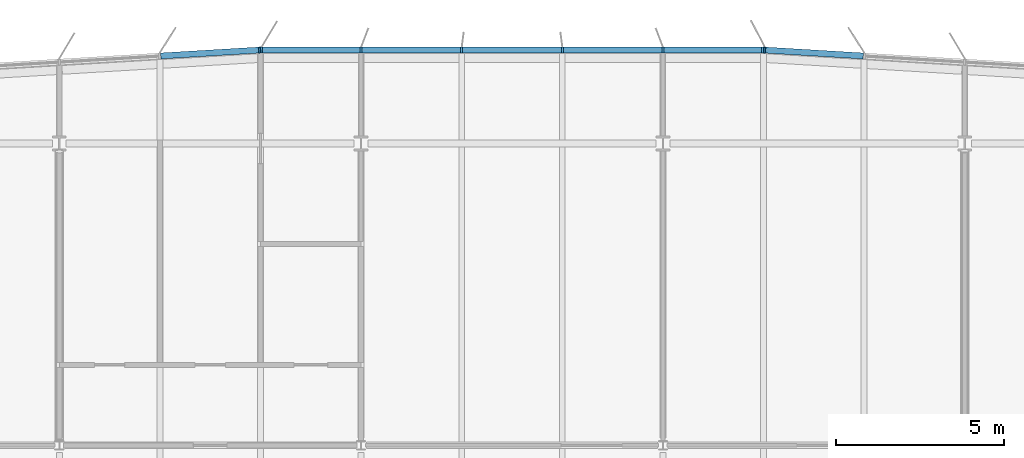
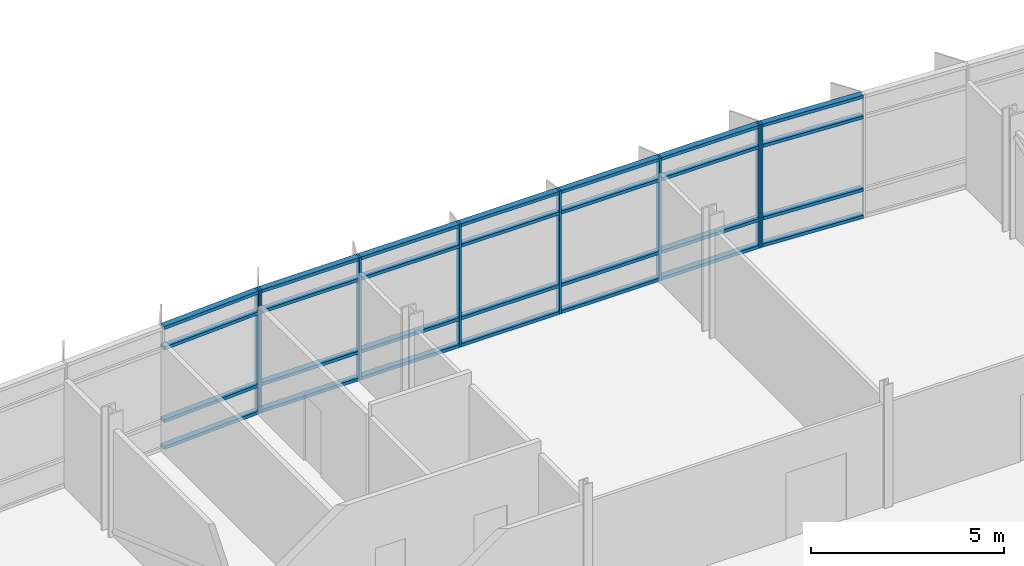
# One storey, part 9 of 19: 36 members, 3 elements without a shape of their own.
"""IFC4 building model written with IfcOpenShell, lengths in metres."""

from ifc_helpers import new_model, si_unit, direction, frame, origin, origin_2d, place, context, subcontext, project, spatial, rectangle, extrude, material, material_profile, profile_set, type_object, element, aggregate, save


model = new_model("IFC4")

# Units and contexts
model_context = context("Model", 3, precision=1e-05, world=origin(), true_north=direction((0.0, 1.0)))
body_context = subcontext(model_context, "Body", "Model", "MODEL_VIEW")
ifc_project = project(units=[si_unit("LENGTHUNIT", "METRE"), si_unit("AREAUNIT", "SQUARE_METRE"), si_unit("VOLUMEUNIT", "CUBIC_METRE"), si_unit("PLANEANGLEUNIT", "RADIAN"), si_unit("MASSUNIT", "GRAM", prefix="KILO")], contexts=[model_context])

# Site, building, storey
site_placement = place(None, origin())
site = spatial("IfcSite", under=ifc_project, at=site_placement, CompositionType="ELEMENT")
building_placement = place(site_placement, origin())
building = spatial("IfcBuilding", under=site, at=building_placement, Name="Azimuth Sports and Learning Centre", CompositionType="ELEMENT")
storey_placement = place(building_placement, frame((0.0, 0.0, 67.5)))
storey = spatial("IfcBuildingStorey", under=building, at=storey_placement, Name="L15", CompositionType="ELEMENT", Elevation=67.5)

# Curtain wall, member
ifc_material_1 = material(Name="Aluminium and glass", Category="aluminium")
curtain_wall_type = type_object("IfcCurtainWallType", Name="Curtain wall tower north 180", PredefinedType="NOTDEFINED", material=ifc_material_1)
curtain_wall_1_placement = place(storey_placement, origin())
curtain_wall_1 = element("IfcCurtainWall", 1, at=curtain_wall_1_placement, inside=storey, type_object=curtain_wall_type, Name="Curtain wall CW15-011", PredefinedType="NOTDEFINED")
ifc_material_2 = material(Name="Aluminium", Category="aluminium")
ifc_material_profile_1 = material_profile(ifc_material_2, rectangle(XDim=0.179931640625, YDim=0.06005859375, at=origin_2d()), Name="Mullion 60x180")
ifc_profile_set_1 = profile_set([ifc_material_profile_1], Name="Aluminium")
member_type_1 = type_object("IfcMemberType", Name="Mullion 60x180", PredefinedType="MULLION", material=ifc_profile_set_1)
member_1_placement = place(storey_placement, frame((93.035400390625, 119.7880859375, 0.0), z_axis=(0.0, 0.0, 1.0), x_axis=(-0.059891991812, -0.998204863401, 0.0)))
member_1 = element("IfcMember", 2, at=member_1_placement, type_object=member_type_1, Name="CW15-011 mullion 6", PredefinedType="MULLION", context=body_context, shape_type="SweptSolid", body=[
    extrude(rectangle(XDim=0.179931640625, YDim=0.06005859375, at=origin_2d()), origin(), (0.0, 0.0, 1.0), 3.89990234375),
])

# Curtain wall, members
curtain_wall_2_placement = place(storey_placement, origin())
curtain_wall_2 = element("IfcCurtainWall", 3, at=curtain_wall_2_placement, inside=storey, type_object=curtain_wall_type, Name="Curtain wall CW15-012", PredefinedType="NOTDEFINED")
member_2_placement = place(storey_placement, frame((92.975341796875, 119.7900390625, 0.0), z_axis=(0.0, 0.0, 1.0), x_axis=(0.0, -1.0, 0.0)))
member_2 = element("IfcMember", 4, at=member_2_placement, type_object=member_type_1, Name="CW15-012 mullion 1", PredefinedType="MULLION", context=body_context, shape_type="SweptSolid", body=[
    extrude(rectangle(XDim=0.179931640625, YDim=0.06005859375, at=origin_2d()), origin(), (0.0, 0.0, 1.0), 3.89990234375),
])
member_3_placement = place(storey_placement, frame((90.0, 119.7900390625, 0.0), z_axis=(0.0, 0.0, 1.0), x_axis=(0.0, -1.0, 0.0)))
member_3 = element("IfcMember", 5, at=member_3_placement, type_object=member_type_1, Name="CW15-012 mullion 2", PredefinedType="MULLION", context=body_context, shape_type="SweptSolid", body=[
    extrude(rectangle(XDim=0.179931640625, YDim=0.06005859375, at=origin_2d()), origin(), (0.0, 0.0, 1.0), 3.89990234375),
])
member_4_placement = place(storey_placement, frame((87.0, 119.7900390625, 0.0), z_axis=(0.0, 0.0, 1.0), x_axis=(0.0, -1.0, 0.0)))
member_4 = element("IfcMember", 6, at=member_4_placement, type_object=member_type_1, Name="CW15-012 mullion 3", PredefinedType="MULLION", context=body_context, shape_type="SweptSolid", body=[
    extrude(rectangle(XDim=0.179931640625, YDim=0.06005859375, at=origin_2d()), origin(), (0.0, 0.0, 1.0), 3.89990234375),
])
member_5_placement = place(storey_placement, frame((84.0, 119.7900390625, 0.0), z_axis=(0.0, 0.0, 1.0), x_axis=(0.0, -1.0, 0.0)))
member_5 = element("IfcMember", 7, at=member_5_placement, type_object=member_type_1, Name="CW15-012 mullion 4", PredefinedType="MULLION", context=body_context, shape_type="SweptSolid", body=[
    extrude(rectangle(XDim=0.179931640625, YDim=0.06005859375, at=origin_2d()), origin(), (0.0, 0.0, 1.0), 3.89990234375),
])
member_6_placement = place(storey_placement, frame((81.0, 119.7900390625, 0.0), z_axis=(0.0, 0.0, 1.0), x_axis=(0.0, -1.0, 0.0)))
member_6 = element("IfcMember", 8, at=member_6_placement, type_object=member_type_1, Name="CW15-012 mullion 5", PredefinedType="MULLION", context=body_context, shape_type="SweptSolid", body=[
    extrude(rectangle(XDim=0.179931640625, YDim=0.06005859375, at=origin_2d()), origin(), (0.0, 0.0, 1.0), 3.89990234375),
])
member_7_placement = place(storey_placement, frame((78.030029296875, 119.7900390625, 0.0), z_axis=(0.0, 0.0, 1.0), x_axis=(0.0, -1.0, 0.0)))
member_7 = element("IfcMember", 9, at=member_7_placement, type_object=member_type_1, Name="CW15-012 mullion 6", PredefinedType="MULLION", context=body_context, shape_type="SweptSolid", body=[
    extrude(rectangle(XDim=0.179931640625, YDim=0.06005859375, at=origin_2d()), origin(), (0.0, 0.0, 1.0), 3.89990234375),
])

# Curtain wall, member
curtain_wall_3_placement = place(storey_placement, origin())
curtain_wall_3 = element("IfcCurtainWall", 10, at=curtain_wall_3_placement, inside=storey, type_object=curtain_wall_type, Name="Curtain wall CW15-013", PredefinedType="NOTDEFINED")
member_8_placement = place(storey_placement, frame((77.969970703125, 119.788330078125, 0.0), z_axis=(0.0, 0.0, 1.0), x_axis=(0.059891991812, -0.998204863401, 0.0)))
member_8 = element("IfcMember", 11, at=member_8_placement, type_object=member_type_1, Name="CW15-013 mullion 1", PredefinedType="MULLION", context=body_context, shape_type="SweptSolid", body=[
    extrude(rectangle(XDim=0.179931640625, YDim=0.06005859375, at=origin_2d()), origin(), (0.0, 0.0, 1.0), 3.89990234375),
])

# Member
ifc_material_3 = material(Name="Aluminium", Category="aluminium")
ifc_material_profile_2 = material_profile(ifc_material_3, rectangle(XDim=0.179931640625, YDim=0.10009765625, at=origin_2d()), Name="Transom 100x180")
ifc_profile_set_2 = profile_set([ifc_material_profile_2], Name="Aluminium")
member_type_2 = type_object("IfcMemberType", Name="Transom 100x180", PredefinedType="USERDEFINED", material=ifc_profile_set_2)
member_9_placement = place(storey_placement, frame((95.975341796875, 119.611572265625, 0.050048828125), z_axis=(-0.998205846627, 0.059875602377, 0.0), x_axis=(-0.059875602377, -0.998205846627, 0.0)))
member_9 = element("IfcMember", 12, at=member_9_placement, type_object=member_type_2, Name="CW15-011 transom 5.1", ObjectType="TRANSOM", PredefinedType="USERDEFINED", context=body_context, shape_type="SweptSolid", body=[
    extrude(rectangle(XDim=0.179931640625, YDim=0.10009765625, at=origin_2d()), origin(), (0.0, 0.0, 1.0), 2.915283203125),
])

member_10_placement = place(storey_placement, frame((95.975341796875, 119.611572265625, 0.89990234375), z_axis=(-0.998205846627, 0.059875602377, 0.0), x_axis=(-0.059875602377, -0.998205846627, 0.0)))
member_10 = element("IfcMember", 13, at=member_10_placement, type_object=member_type_2, Name="CW15-011 transom 5.2", ObjectType="TRANSOM", PredefinedType="USERDEFINED", context=body_context, shape_type="SweptSolid", body=[
    extrude(rectangle(XDim=0.179931640625, YDim=0.10009765625, at=origin_2d()), origin(), (0.0, 0.0, 1.0), 2.915283203125),
])

member_11_placement = place(storey_placement, frame((95.975341796875, 119.611572265625, 3.199951171875), z_axis=(-0.998205846627, 0.059875602377, 0.0), x_axis=(-0.059875602377, -0.998205846627, 0.0)))
member_11 = element("IfcMember", 14, at=member_11_placement, type_object=member_type_2, Name="CW15-011 transom 5.3", ObjectType="TRANSOM", PredefinedType="USERDEFINED", context=body_context, shape_type="SweptSolid", body=[
    extrude(rectangle(XDim=0.179931640625, YDim=0.10009765625, at=origin_2d()), origin(), (0.0, 0.0, 1.0), 2.915283203125),
])

member_12_placement = place(storey_placement, frame((95.975341796875, 119.611572265625, 3.85009765625), z_axis=(-0.998205846627, 0.059875602377, 0.0), x_axis=(-0.059875602377, -0.998205846627, 0.0)))
member_12 = element("IfcMember", 15, at=member_12_placement, type_object=member_type_2, Name="CW15-011 transom 5.4", ObjectType="TRANSOM", PredefinedType="USERDEFINED", context=body_context, shape_type="SweptSolid", body=[
    extrude(rectangle(XDim=0.179931640625, YDim=0.10009765625, at=origin_2d()), origin(), (0.0, 0.0, 1.0), 2.915283203125),
])

aggregate(curtain_wall_1, [member_1, member_9, member_10, member_11, member_12])

member_13_placement = place(storey_placement, frame((92.9453125, 119.7900390625, 0.050048828125), z_axis=(-1.0, 0.0, 0.0), x_axis=(0.0, -1.0, 0.0)))
member_13 = element("IfcMember", 16, at=member_13_placement, type_object=member_type_2, Name="CW15-012 transom 1.1", ObjectType="TRANSOM", PredefinedType="USERDEFINED", context=body_context, shape_type="SweptSolid", body=[
    extrude(rectangle(XDim=0.179931640625, YDim=0.10009765625, at=origin_2d()), origin(), (0.0, 0.0, 1.0), 2.915283203125),
])

member_14_placement = place(storey_placement, frame((92.9453125, 119.7900390625, 0.89990234375), z_axis=(-1.0, 0.0, 0.0), x_axis=(0.0, -1.0, 0.0)))
member_14 = element("IfcMember", 17, at=member_14_placement, type_object=member_type_2, Name="CW15-012 transom 1.2", ObjectType="TRANSOM", PredefinedType="USERDEFINED", context=body_context, shape_type="SweptSolid", body=[
    extrude(rectangle(XDim=0.179931640625, YDim=0.10009765625, at=origin_2d()), origin(), (0.0, 0.0, 1.0), 2.915283203125),
])

member_15_placement = place(storey_placement, frame((92.9453125, 119.7900390625, 3.199951171875), z_axis=(-1.0, 0.0, 0.0), x_axis=(0.0, -1.0, 0.0)))
member_15 = element("IfcMember", 18, at=member_15_placement, type_object=member_type_2, Name="CW15-012 transom 1.3", ObjectType="TRANSOM", PredefinedType="USERDEFINED", context=body_context, shape_type="SweptSolid", body=[
    extrude(rectangle(XDim=0.179931640625, YDim=0.10009765625, at=origin_2d()), origin(), (0.0, 0.0, 1.0), 2.915283203125),
])

member_16_placement = place(storey_placement, frame((92.9453125, 119.7900390625, 3.85009765625), z_axis=(-1.0, 0.0, 0.0), x_axis=(0.0, -1.0, 0.0)))
member_16 = element("IfcMember", 19, at=member_16_placement, type_object=member_type_2, Name="CW15-012 transom 1.4", ObjectType="TRANSOM", PredefinedType="USERDEFINED", context=body_context, shape_type="SweptSolid", body=[
    extrude(rectangle(XDim=0.179931640625, YDim=0.10009765625, at=origin_2d()), origin(), (0.0, 0.0, 1.0), 2.915283203125),
])

member_17_placement = place(storey_placement, frame((89.969970703125, 119.7900390625, 0.050048828125), z_axis=(-1.0, 0.0, 0.0), x_axis=(0.0, -1.0, 0.0)))
member_17 = element("IfcMember", 20, at=member_17_placement, type_object=member_type_2, Name="CW15-012 transom 2.1", ObjectType="TRANSOM", PredefinedType="USERDEFINED", context=body_context, shape_type="SweptSolid", body=[
    extrude(rectangle(XDim=0.179931640625, YDim=0.10009765625, at=origin_2d()), origin(), (0.0, 0.0, 1.0), 2.93994140625),
])

member_18_placement = place(storey_placement, frame((89.969970703125, 119.7900390625, 0.89990234375), z_axis=(-1.0, 0.0, 0.0), x_axis=(0.0, -1.0, 0.0)))
member_18 = element("IfcMember", 21, at=member_18_placement, type_object=member_type_2, Name="CW15-012 transom 2.2", ObjectType="TRANSOM", PredefinedType="USERDEFINED", context=body_context, shape_type="SweptSolid", body=[
    extrude(rectangle(XDim=0.179931640625, YDim=0.10009765625, at=origin_2d()), origin(), (0.0, 0.0, 1.0), 2.93994140625),
])

member_19_placement = place(storey_placement, frame((89.969970703125, 119.7900390625, 3.199951171875), z_axis=(-1.0, 0.0, 0.0), x_axis=(0.0, -1.0, 0.0)))
member_19 = element("IfcMember", 22, at=member_19_placement, type_object=member_type_2, Name="CW15-012 transom 2.3", ObjectType="TRANSOM", PredefinedType="USERDEFINED", context=body_context, shape_type="SweptSolid", body=[
    extrude(rectangle(XDim=0.179931640625, YDim=0.10009765625, at=origin_2d()), origin(), (0.0, 0.0, 1.0), 2.93994140625),
])

member_20_placement = place(storey_placement, frame((89.969970703125, 119.7900390625, 3.85009765625), z_axis=(-1.0, 0.0, 0.0), x_axis=(0.0, -1.0, 0.0)))
member_20 = element("IfcMember", 23, at=member_20_placement, type_object=member_type_2, Name="CW15-012 transom 2.4", ObjectType="TRANSOM", PredefinedType="USERDEFINED", context=body_context, shape_type="SweptSolid", body=[
    extrude(rectangle(XDim=0.179931640625, YDim=0.10009765625, at=origin_2d()), origin(), (0.0, 0.0, 1.0), 2.93994140625),
])

member_21_placement = place(storey_placement, frame((86.969970703125, 119.7900390625, 0.050048828125), z_axis=(-1.0, 0.0, 0.0), x_axis=(0.0, -1.0, 0.0)))
member_21 = element("IfcMember", 24, at=member_21_placement, type_object=member_type_2, Name="CW15-012 transom 3.1", ObjectType="TRANSOM", PredefinedType="USERDEFINED", context=body_context, shape_type="SweptSolid", body=[
    extrude(rectangle(XDim=0.179931640625, YDim=0.10009765625, at=origin_2d()), origin(), (0.0, 0.0, 1.0), 2.93994140625),
])

member_22_placement = place(storey_placement, frame((86.969970703125, 119.7900390625, 0.89990234375), z_axis=(-1.0, 0.0, 0.0), x_axis=(0.0, -1.0, 0.0)))
member_22 = element("IfcMember", 25, at=member_22_placement, type_object=member_type_2, Name="CW15-012 transom 3.2", ObjectType="TRANSOM", PredefinedType="USERDEFINED", context=body_context, shape_type="SweptSolid", body=[
    extrude(rectangle(XDim=0.179931640625, YDim=0.10009765625, at=origin_2d()), origin(), (0.0, 0.0, 1.0), 2.93994140625),
])

member_23_placement = place(storey_placement, frame((86.969970703125, 119.7900390625, 3.199951171875), z_axis=(-1.0, 0.0, 0.0), x_axis=(0.0, -1.0, 0.0)))
member_23 = element("IfcMember", 26, at=member_23_placement, type_object=member_type_2, Name="CW15-012 transom 3.3", ObjectType="TRANSOM", PredefinedType="USERDEFINED", context=body_context, shape_type="SweptSolid", body=[
    extrude(rectangle(XDim=0.179931640625, YDim=0.10009765625, at=origin_2d()), origin(), (0.0, 0.0, 1.0), 2.93994140625),
])

member_24_placement = place(storey_placement, frame((86.969970703125, 119.7900390625, 3.85009765625), z_axis=(-1.0, 0.0, 0.0), x_axis=(0.0, -1.0, 0.0)))
member_24 = element("IfcMember", 27, at=member_24_placement, type_object=member_type_2, Name="CW15-012 transom 3.4", ObjectType="TRANSOM", PredefinedType="USERDEFINED", context=body_context, shape_type="SweptSolid", body=[
    extrude(rectangle(XDim=0.179931640625, YDim=0.10009765625, at=origin_2d()), origin(), (0.0, 0.0, 1.0), 2.93994140625),
])

member_25_placement = place(storey_placement, frame((83.969970703125, 119.7900390625, 0.050048828125), z_axis=(-1.0, 0.0, 0.0), x_axis=(0.0, -1.0, 0.0)))
member_25 = element("IfcMember", 28, at=member_25_placement, type_object=member_type_2, Name="CW15-012 transom 4.1", ObjectType="TRANSOM", PredefinedType="USERDEFINED", context=body_context, shape_type="SweptSolid", body=[
    extrude(rectangle(XDim=0.179931640625, YDim=0.10009765625, at=origin_2d()), origin(), (0.0, 0.0, 1.0), 2.93994140625),
])

member_26_placement = place(storey_placement, frame((83.969970703125, 119.7900390625, 0.89990234375), z_axis=(-1.0, 0.0, 0.0), x_axis=(0.0, -1.0, 0.0)))
member_26 = element("IfcMember", 29, at=member_26_placement, type_object=member_type_2, Name="CW15-012 transom 4.2", ObjectType="TRANSOM", PredefinedType="USERDEFINED", context=body_context, shape_type="SweptSolid", body=[
    extrude(rectangle(XDim=0.179931640625, YDim=0.10009765625, at=origin_2d()), origin(), (0.0, 0.0, 1.0), 2.93994140625),
])

member_27_placement = place(storey_placement, frame((83.969970703125, 119.7900390625, 3.199951171875), z_axis=(-1.0, 0.0, 0.0), x_axis=(0.0, -1.0, 0.0)))
member_27 = element("IfcMember", 30, at=member_27_placement, type_object=member_type_2, Name="CW15-012 transom 4.3", ObjectType="TRANSOM", PredefinedType="USERDEFINED", context=body_context, shape_type="SweptSolid", body=[
    extrude(rectangle(XDim=0.179931640625, YDim=0.10009765625, at=origin_2d()), origin(), (0.0, 0.0, 1.0), 2.93994140625),
])

member_28_placement = place(storey_placement, frame((83.969970703125, 119.7900390625, 3.85009765625), z_axis=(-1.0, 0.0, 0.0), x_axis=(0.0, -1.0, 0.0)))
member_28 = element("IfcMember", 31, at=member_28_placement, type_object=member_type_2, Name="CW15-012 transom 4.4", ObjectType="TRANSOM", PredefinedType="USERDEFINED", context=body_context, shape_type="SweptSolid", body=[
    extrude(rectangle(XDim=0.179931640625, YDim=0.10009765625, at=origin_2d()), origin(), (0.0, 0.0, 1.0), 2.93994140625),
])

member_29_placement = place(storey_placement, frame((80.969970703125, 119.7900390625, 0.050048828125), z_axis=(-1.0, 0.0, 0.0), x_axis=(0.0, -1.0, 0.0)))
member_29 = element("IfcMember", 32, at=member_29_placement, type_object=member_type_2, Name="CW15-012 transom 5.1", ObjectType="TRANSOM", PredefinedType="USERDEFINED", context=body_context, shape_type="SweptSolid", body=[
    extrude(rectangle(XDim=0.179931640625, YDim=0.10009765625, at=origin_2d()), origin(), (0.0, 0.0, 1.0), 2.909912109375),
])

member_30_placement = place(storey_placement, frame((80.969970703125, 119.7900390625, 0.89990234375), z_axis=(-1.0, 0.0, 0.0), x_axis=(0.0, -1.0, 0.0)))
member_30 = element("IfcMember", 33, at=member_30_placement, type_object=member_type_2, Name="CW15-012 transom 5.2", ObjectType="TRANSOM", PredefinedType="USERDEFINED", context=body_context, shape_type="SweptSolid", body=[
    extrude(rectangle(XDim=0.179931640625, YDim=0.10009765625, at=origin_2d()), origin(), (0.0, 0.0, 1.0), 2.909912109375),
])

member_31_placement = place(storey_placement, frame((80.969970703125, 119.7900390625, 3.199951171875), z_axis=(-1.0, 0.0, 0.0), x_axis=(0.0, -1.0, 0.0)))
member_31 = element("IfcMember", 34, at=member_31_placement, type_object=member_type_2, Name="CW15-012 transom 5.3", ObjectType="TRANSOM", PredefinedType="USERDEFINED", context=body_context, shape_type="SweptSolid", body=[
    extrude(rectangle(XDim=0.179931640625, YDim=0.10009765625, at=origin_2d()), origin(), (0.0, 0.0, 1.0), 2.909912109375),
])

member_32_placement = place(storey_placement, frame((80.969970703125, 119.7900390625, 3.85009765625), z_axis=(-1.0, 0.0, 0.0), x_axis=(0.0, -1.0, 0.0)))
member_32 = element("IfcMember", 35, at=member_32_placement, type_object=member_type_2, Name="CW15-012 transom 5.4", ObjectType="TRANSOM", PredefinedType="USERDEFINED", context=body_context, shape_type="SweptSolid", body=[
    extrude(rectangle(XDim=0.179931640625, YDim=0.10009765625, at=origin_2d()), origin(), (0.0, 0.0, 1.0), 2.909912109375),
])

aggregate(curtain_wall_2, [member_2, member_3, member_4, member_5, member_6, member_7, member_13, member_14, member_15, member_16, member_17, member_18, member_19, member_20, member_21, member_22, member_23, member_24, member_25, member_26, member_27, member_28, member_29, member_30, member_31, member_32])

member_33_placement = place(storey_placement, frame((77.940185546875, 119.78662109375, 0.050048828125), z_axis=(-0.998202445979, -0.05993226878, 0.0), x_axis=(0.05993226878, -0.998202445979, 0.0)))
member_33 = element("IfcMember", 36, at=member_33_placement, type_object=member_type_2, Name="CW15-013 transom 1.1", ObjectType="TRANSOM", PredefinedType="USERDEFINED", context=body_context, shape_type="SweptSolid", body=[
    extrude(rectangle(XDim=0.179931640625, YDim=0.10009765625, at=origin_2d()), origin(), (0.0, 0.0, 1.0), 2.9208984375),
])

member_34_placement = place(storey_placement, frame((77.940185546875, 119.78662109375, 0.89990234375), z_axis=(-0.998202445979, -0.05993226878, 0.0), x_axis=(0.05993226878, -0.998202445979, 0.0)))
member_34 = element("IfcMember", 37, at=member_34_placement, type_object=member_type_2, Name="CW15-013 transom 1.2", ObjectType="TRANSOM", PredefinedType="USERDEFINED", context=body_context, shape_type="SweptSolid", body=[
    extrude(rectangle(XDim=0.179931640625, YDim=0.10009765625, at=origin_2d()), origin(), (0.0, 0.0, 1.0), 2.9208984375),
])

member_35_placement = place(storey_placement, frame((77.940185546875, 119.78662109375, 3.199951171875), z_axis=(-0.998202445979, -0.05993226878, 0.0), x_axis=(0.05993226878, -0.998202445979, 0.0)))
member_35 = element("IfcMember", 38, at=member_35_placement, type_object=member_type_2, Name="CW15-013 transom 1.3", ObjectType="TRANSOM", PredefinedType="USERDEFINED", context=body_context, shape_type="SweptSolid", body=[
    extrude(rectangle(XDim=0.179931640625, YDim=0.10009765625, at=origin_2d()), origin(), (0.0, 0.0, 1.0), 2.9208984375),
])

member_36_placement = place(storey_placement, frame((77.940185546875, 119.78662109375, 3.85009765625), z_axis=(-0.998202445979, -0.05993226878, 0.0), x_axis=(0.05993226878, -0.998202445979, 0.0)))
member_36 = element("IfcMember", 39, at=member_36_placement, type_object=member_type_2, Name="CW15-013 transom 1.4", ObjectType="TRANSOM", PredefinedType="USERDEFINED", context=body_context, shape_type="SweptSolid", body=[
    extrude(rectangle(XDim=0.179931640625, YDim=0.10009765625, at=origin_2d()), origin(), (0.0, 0.0, 1.0), 2.9208984375),
])

aggregate(curtain_wall_3, [member_8, member_33, member_34, member_35, member_36])

save(model, "model.ifc")
